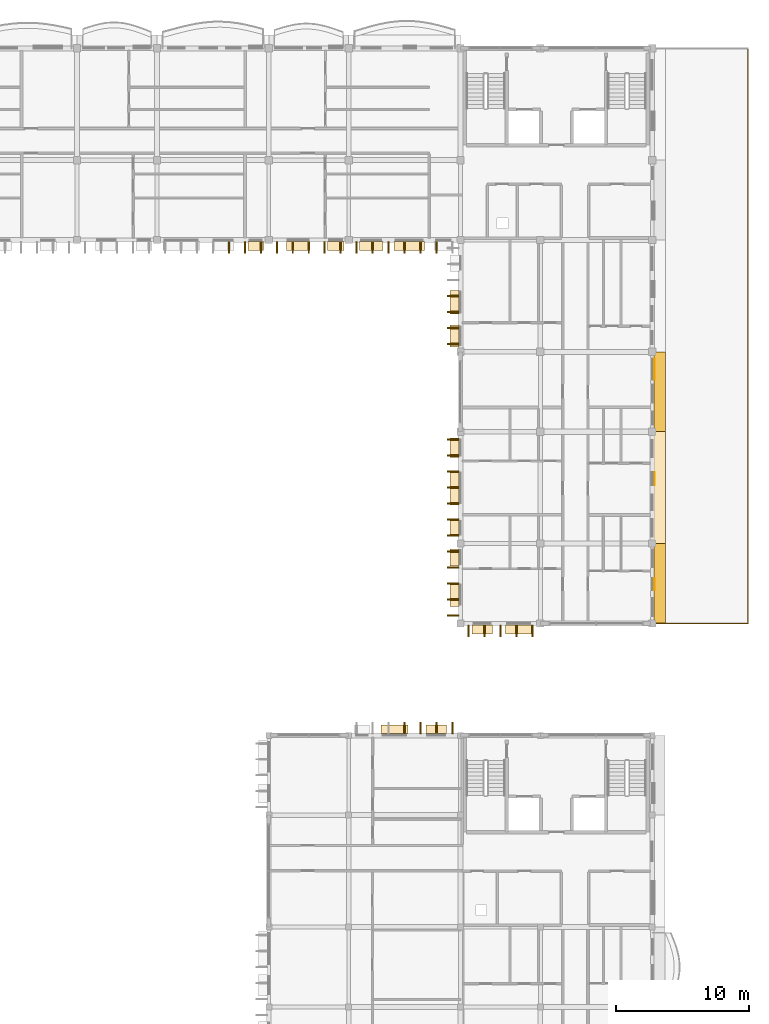
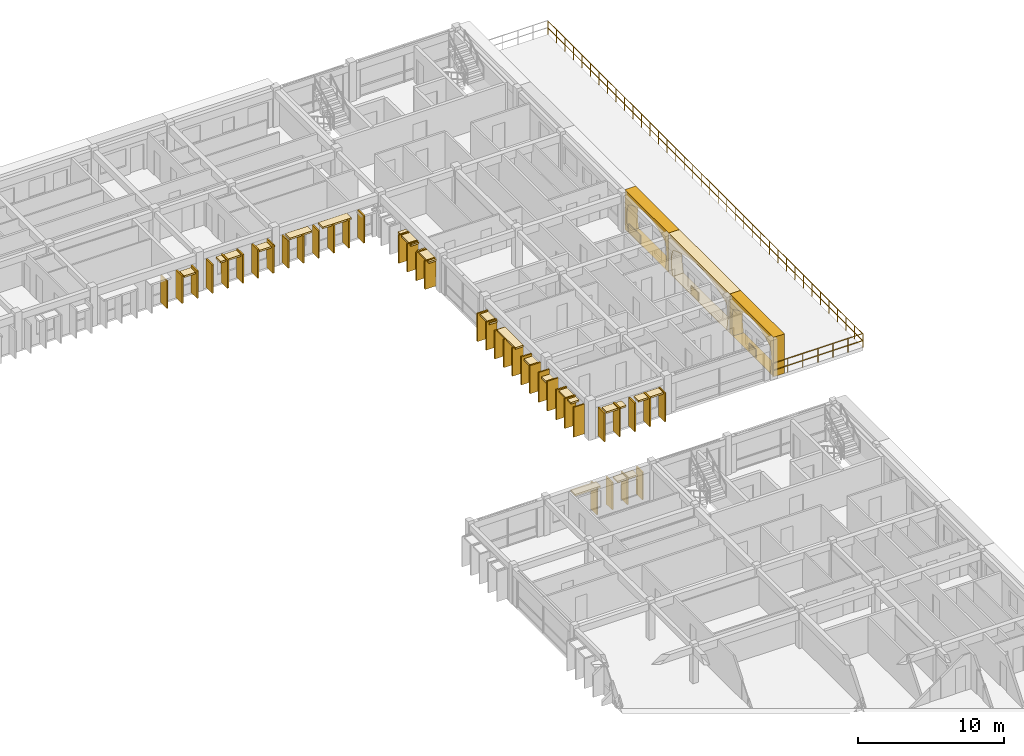
# One storey, part 66 of 68: 61 coverings, 2 railings.
"""IFC4 building model written with IfcOpenShell, lengths in metres."""

from ifc_helpers import new_model, si_unit, direction, frame, origin, origin_2d, place, context, subcontext, project, spatial, polyline, rectangle, outline, extrude, material, layer, layer_set, type_object, element, save


model = new_model("IFC4")

# Units and contexts
model_context = context("Model", 3, precision=1e-05, world=origin(), true_north=direction((0.0, 1.0)))
body_context = subcontext(model_context, "Body", "Model", "MODEL_VIEW")
ifc_project = project(units=[si_unit("LENGTHUNIT", "METRE"), si_unit("AREAUNIT", "SQUARE_METRE"), si_unit("VOLUMEUNIT", "CUBIC_METRE"), si_unit("PLANEANGLEUNIT", "RADIAN"), si_unit("MASSUNIT", "GRAM", prefix="KILO"), si_unit("THERMODYNAMICTEMPERATUREUNIT", "KELVIN")], contexts=[model_context])

# Site, building, storey
site_placement = place(None, origin())
site = spatial("IfcSite", under=ifc_project, at=site_placement, CompositionType="ELEMENT")
building_placement = place(site_placement, origin())
building = spatial("IfcBuilding", under=site, at=building_placement, Name="Thalorik Housing Commons", CompositionType="ELEMENT")
storey_placement = place(building_placement, frame((0.0, 0.0, 24.60009765625)))
storey = spatial("IfcBuildingStorey", under=building, at=storey_placement, Name="L07", CompositionType="ELEMENT", Elevation=24.60009765625)

# Coverings
ifc_material_1 = material(Name="Cobalt blue glazed ceramic facade tile panel", Category="masonry")
ifc_layer_1 = layer(ifc_material_1, 0.06005859375, Name="Cobalt blue glazed ceramic facade tile panel", Category="masonry")
ifc_layer_set_1 = layer_set([ifc_layer_1], Name="Cobalt blue glazed ceramic facade tile panel")
covering_type_1 = type_object("IfcCoveringType", Name="ARC-CLD-BLU-60", PredefinedType="CLADDING", material=ifc_layer_set_1)
covering_1_placement = place(storey_placement, frame((166.965087890625, 83.3515625, 0.0498046875), z_axis=(0.0, 0.0, 1.0), x_axis=(0.0, 1.0, 0.0)))
element("IfcCovering", 1, at=covering_1_placement, inside=storey, type_object=covering_type_1, Name="L07 De Stijl Recessed Window Spandrel 2697", PredefinedType="CLADDING", context=body_context, shape_type="SweptSolid", body=[
    extrude(rectangle(XDim=0.89990234375, YDim=0.06005859375, at=origin_2d()), origin(), (0.0, 0.0, 1.0), 0.699951171875),
])
ifc_material_2 = material(Name="Precast concrete C40/50", Category="concrete")
ifc_layer_2 = layer(ifc_material_2, 0.85009765625, Name="Precast concrete C40/50", Category="concrete")
ifc_layer_set_2 = layer_set([ifc_layer_2], Name="Precast concrete C40/50")
covering_type_2 = type_object("IfcCoveringType", Name="ARC-CLD-CUSH-850", PredefinedType="CLADDING", material=ifc_layer_set_2)
covering_2_placement = place(storey_placement, frame((167.35498046875, 83.39990234375, 0.0), z_axis=(0.0, 0.0, 1.0), x_axis=(0.0, 1.0, 0.0)))
element("IfcCovering", 2, at=covering_2_placement, inside=storey, type_object=covering_type_2, Name="L07 White Precast Curved Cushion Bay Frame 2696", PredefinedType="CLADDING", context=body_context, shape_type="SweptSolid", body=[
    extrude(outline(polyline([(-3.0, 0.0), (3.0, 0.0), (3.0, 3.300048828125), (-3.0, 3.300048828125), (-3.0, 0.0)]), holes=[polyline([(2.57666015625, 0.02490234375), (2.666015625, 0.394287109375), (2.719482421875, 0.76318359375), (2.737548828125, 1.132568359375), (2.719482421875, 1.501708984375), (2.666015625, 1.870849609375), (2.57666015625, 2.239990234375), (2.152587890625, 2.4833984375), (1.728759765625, 2.6748046875), (1.304931640625, 2.82958984375), (0.881103515625, 2.94482421875), (0.457275390625, 3.01611328125), (0.033203125, 3.0400390625), (-0.390625, 3.01611328125), (-0.814453125, 2.94482421875), (-1.23828125, 2.82958984375), (-1.662109375, 2.6748046875), (-2.086181640625, 2.4833984375), (-2.510009765625, 2.239990234375), (-2.61328125, 1.870849609375), (-2.675537109375, 1.501708984375), (-2.6962890625, 1.132568359375), (-2.675537109375, 0.76318359375), (-2.61328125, 0.394287109375), (-2.510009765625, 0.02490234375), (2.57666015625, 0.02490234375)])]), frame((0.0, 0.425048828125, 0.0), z_axis=(0.0, -1.0, 0.0), x_axis=(1.0, 0.0, 0.0)), (0.0, 0.0, 1.0), 0.85009765625),
])
covering_3_placement = place(storey_placement, frame((167.35498046875, 90.60009765625, 0.0), z_axis=(0.0, 0.0, 1.0), x_axis=(0.0, 1.0, 0.0)))
element("IfcCovering", 3, at=covering_3_placement, inside=storey, type_object=covering_type_2, Name="L07 White Precast Curved Cushion Bay Frame 2698", PredefinedType="CLADDING", context=body_context, shape_type="SweptSolid", body=[
    extrude(outline(polyline([(-4.199951171875, 0.0), (4.199951171875, 0.0), (4.199951171875, 3.300048828125), (-4.199951171875, 3.300048828125), (-4.199951171875, 0.0)]), holes=[polyline([(3.619140625, 0.02490234375), (3.74169921875, 0.390869140625), (3.8154296875, 0.756591796875), (3.83984375, 1.12255859375), (3.8154296875, 1.48828125), (3.74169921875, 1.854248046875), (3.619140625, 2.219970703125), (3.0068359375, 2.469482421875), (2.394287109375, 2.66552734375), (1.781982421875, 2.824462890625), (1.16943359375, 2.9423828125), (0.556884765625, 3.015380859375), (-0.055419921875, 3.0400390625), (-0.667724609375, 3.015380859375), (-1.2802734375, 2.9423828125), (-1.892578125, 2.824462890625), (-2.505126953125, 2.66552734375), (-3.11767578125, 2.469482421875), (-3.72998046875, 2.219970703125), (-3.8291015625, 1.854248046875), (-3.888916015625, 1.48828125), (-3.90869140625, 1.12255859375), (-3.888916015625, 0.756591796875), (-3.8291015625, 0.390869140625), (-3.72998046875, 0.02490234375), (3.619140625, 0.02490234375)])]), frame((0.0, 0.425048828125, 0.0), z_axis=(0.0, -1.0, 0.0), x_axis=(1.0, 0.0, 0.0)), (0.0, 0.0, 1.0), 0.85009765625),
])
covering_4_placement = place(storey_placement, frame((167.35498046875, 97.800048828125, 0.0), z_axis=(0.0, 0.0, 1.0), x_axis=(0.0, 1.0, 0.0)))
element("IfcCovering", 4, at=covering_4_placement, inside=storey, type_object=covering_type_2, Name="L07 White Precast Curved Cushion Bay Frame 2700", PredefinedType="CLADDING", context=body_context, shape_type="SweptSolid", body=[
    extrude(outline(polyline([(-3.0, 0.0), (3.0, 0.0), (3.0, 3.300048828125), (-3.0, 3.300048828125), (-3.0, 0.0)]), holes=[polyline([(2.544921875, 0.02490234375), (2.64111328125, 0.404296875), (2.69873046875, 0.783203125), (2.718017578125, 1.16259765625), (2.69873046875, 1.541748046875), (2.64111328125, 1.9208984375), (2.544921875, 2.300048828125), (2.123291015625, 2.525390625), (1.70166015625, 2.7021484375), (1.280029296875, 2.845458984375), (0.8583984375, 2.951904296875), (0.436767578125, 3.017822265625), (0.014892578125, 3.0400390625), (-0.40673828125, 3.017822265625), (-0.828369140625, 2.951904296875), (-1.25, 2.845458984375), (-1.671630859375, 2.7021484375), (-2.09326171875, 2.525390625), (-2.514892578125, 2.300048828125), (-2.617431640625, 1.9208984375), (-2.6787109375, 1.541748046875), (-2.69921875, 1.16259765625), (-2.6787109375, 0.783203125), (-2.617431640625, 0.404296875), (-2.514892578125, 0.02490234375), (2.544921875, 0.02490234375)])]), frame((0.0, 0.425048828125, 0.0), z_axis=(0.0, -1.0, 0.0), x_axis=(1.0, 0.0, 0.0)), (0.0, 0.0, 1.0), 0.85009765625),
])
ifc_layer_3 = layer(ifc_material_2, 0.85009765625, Name="Precast concrete C40/50", Category="concrete")
ifc_layer_set_3 = layer_set([ifc_layer_3], Name="Precast concrete C40/50")
covering_type_3 = type_object("IfcCoveringType", Name="ARC-CLD-FIN-850", PredefinedType="CLADDING", material=ifc_layer_set_3)
for number, where, z_axis, x_axis, name in (
    (5, (135.0, 108.64501953125, 0.0400390625), (0.0, 0.0, 1.0), (1.0, 0.0, 0.0), "L07 Courtyard Precast Vertical Brise-Soleil Fin 2639"),
    (6, (136.199951171875, 108.64501953125, 0.0400390625), (0.0, 0.0, 1.0), (1.0, 0.0, 0.0), "L07 Courtyard Precast Vertical Brise-Soleil Fin 2640"),
    (7, (137.39990234375, 108.64501953125, 0.0400390625), (0.0, 0.0, 1.0), (1.0, 0.0, 0.0), "L07 Courtyard Precast Vertical Brise-Soleil Fin 2641"),
):
    element("IfcCovering", number, at=place(storey_placement, frame(where, z_axis=z_axis, x_axis=x_axis)), inside=storey, type_object=covering_type_3, Name=name, PredefinedType="CLADDING", context=body_context, shape_type="SweptSolid", body=[
        extrude(rectangle(XDim=0.110107421875, YDim=0.85009765625, at=origin_2d()), origin(), (0.0, 0.0, 1.0), 2.294921875),
    ])
for number, where, z_axis, x_axis, name in (
    (8, (138.60009765625, 108.64501953125, 0.039794921875), (0.0, 0.0, 1.0), (1.0, 0.0, 0.0), "L07 Courtyard Precast Vertical Brise-Soleil Fin 2645"),
    (9, (139.800048828125, 108.64501953125, 0.039794921875), (0.0, 0.0, 1.0), (1.0, 0.0, 0.0), "L07 Courtyard Precast Vertical Brise-Soleil Fin 2646"),
    (10, (141.0, 108.64501953125, 0.039794921875), (0.0, 0.0, 1.0), (1.0, 0.0, 0.0), "L07 Courtyard Precast Vertical Brise-Soleil Fin 2647"),
    (11, (142.199951171875, 108.64501953125, 0.039794921875), (0.0, 0.0, 1.0), (1.0, 0.0, 0.0), "L07 Courtyard Precast Vertical Brise-Soleil Fin 2648"),
    (12, (143.39990234375, 108.64501953125, 0.039794921875), (0.0, 0.0, 1.0), (1.0, 0.0, 0.0), "L07 Courtyard Precast Vertical Brise-Soleil Fin 2649"),
):
    element("IfcCovering", number, at=place(storey_placement, frame(where, z_axis=z_axis, x_axis=x_axis)), inside=storey, type_object=covering_type_3, Name=name, PredefinedType="CLADDING", context=body_context, shape_type="SweptSolid", body=[
        extrude(rectangle(XDim=0.110107421875, YDim=0.85009765625, at=origin_2d()), origin(), (0.0, 0.0, 1.0), 2.39501953125),
    ])
for number, where, z_axis, x_axis, name in (
    (13, (144.60009765625, 108.64501953125, 0.0400390625), (0.0, 0.0, 1.0), (1.0, 0.0, 0.0), "L07 Courtyard Precast Vertical Brise-Soleil Fin 2652"),
    (14, (145.800048828125, 108.64501953125, 0.0400390625), (0.0, 0.0, 1.0), (1.0, 0.0, 0.0), "L07 Courtyard Precast Vertical Brise-Soleil Fin 2653"),
    (15, (147.0, 108.64501953125, 0.0400390625), (0.0, 0.0, 1.0), (1.0, 0.0, 0.0), "L07 Courtyard Precast Vertical Brise-Soleil Fin 2654"),
    (16, (148.199951171875, 108.64501953125, 0.0400390625), (0.0, 0.0, 1.0), (1.0, 0.0, 0.0), "L07 Courtyard Precast Vertical Brise-Soleil Fin 2655"),
    (17, (149.39990234375, 108.64501953125, 0.0400390625), (0.0, 0.0, 1.0), (1.0, 0.0, 0.0), "L07 Courtyard Precast Vertical Brise-Soleil Fin 2656"),
    (18, (150.60009765625, 108.64501953125, 0.0400390625), (0.0, 0.0, 1.0), (1.0, 0.0, 0.0), "L07 Courtyard Precast Vertical Brise-Soleil Fin 2657"),
):
    element("IfcCovering", number, at=place(storey_placement, frame(where, z_axis=z_axis, x_axis=x_axis)), inside=storey, type_object=covering_type_3, Name=name, PredefinedType="CLADDING", context=body_context, shape_type="SweptSolid", body=[
        extrude(rectangle(XDim=0.110107421875, YDim=0.85009765625, at=origin_2d()), origin(), (0.0, 0.0, 1.0), 2.294921875),
    ])
for number, where, z_axis, x_axis, name in (
    (19, (151.844970703125, 105.0, 0.0400390625), (0.0, 0.0, 1.0), (0.0, -1.0, 0.0), "L07 Courtyard Precast Vertical Brise-Soleil Fin 2665"),
    (20, (151.844970703125, 103.800048828125, 0.0400390625), (0.0, 0.0, 1.0), (0.0, -1.0, 0.0), "L07 Courtyard Precast Vertical Brise-Soleil Fin 2666"),
    (21, (151.844970703125, 102.60009765625, 0.0400390625), (0.0, 0.0, 1.0), (0.0, -1.0, 0.0), "L07 Courtyard Precast Vertical Brise-Soleil Fin 2667"),
    (22, (151.844970703125, 101.39990234375, 0.0400390625), (0.0, 0.0, 1.0), (0.0, -1.0, 0.0), "L07 Courtyard Precast Vertical Brise-Soleil Fin 2668"),
    (23, (151.844970703125, 94.199951171875, 0.0400390625), (0.0, 0.0, 1.0), (0.0, -1.0, 0.0), "L07 Courtyard Precast Vertical Brise-Soleil Fin 2672"),
    (24, (151.844970703125, 93.0, 0.0400390625), (0.0, 0.0, 1.0), (0.0, -1.0, 0.0), "L07 Courtyard Precast Vertical Brise-Soleil Fin 2673"),
    (25, (151.844970703125, 91.800048828125, 0.0400390625), (0.0, 0.0, 1.0), (0.0, -1.0, 0.0), "L07 Courtyard Precast Vertical Brise-Soleil Fin 2674"),
    (26, (151.844970703125, 90.60009765625, 0.0400390625), (0.0, 0.0, 1.0), (0.0, -1.0, 0.0), "L07 Courtyard Precast Vertical Brise-Soleil Fin 2675"),
    (27, (151.844970703125, 89.39990234375, 0.0400390625), (0.0, 0.0, 1.0), (0.0, -1.0, 0.0), "L07 Courtyard Precast Vertical Brise-Soleil Fin 2676"),
    (28, (151.844970703125, 88.199951171875, 0.0400390625), (0.0, 0.0, 1.0), (0.0, -1.0, 0.0), "L07 Courtyard Precast Vertical Brise-Soleil Fin 2677"),
    (29, (151.844970703125, 87.0, 0.0400390625), (0.0, 0.0, 1.0), (0.0, -1.0, 0.0), "L07 Courtyard Precast Vertical Brise-Soleil Fin 2678"),
):
    element("IfcCovering", number, at=place(storey_placement, frame(where, z_axis=z_axis, x_axis=x_axis)), inside=storey, type_object=covering_type_3, Name=name, PredefinedType="CLADDING", context=body_context, shape_type="SweptSolid", body=[
        extrude(rectangle(XDim=0.110107421875, YDim=0.85009765625, at=origin_2d()), origin(), (0.0, 0.0, 1.0), 2.344970703125),
    ])
for number, where, z_axis, x_axis, name in (
    (30, (151.844970703125, 85.800048828125, 0.039794921875), (0.0, 0.0, 1.0), (0.0, -1.0, 0.0), "L07 Courtyard Precast Vertical Brise-Soleil Fin 2682"),
    (31, (151.844970703125, 84.60009765625, 0.039794921875), (0.0, 0.0, 1.0), (0.0, -1.0, 0.0), "L07 Courtyard Precast Vertical Brise-Soleil Fin 2683"),
    (32, (151.844970703125, 83.39990234375, 0.039794921875), (0.0, 0.0, 1.0), (0.0, -1.0, 0.0), "L07 Courtyard Precast Vertical Brise-Soleil Fin 2684"),
    (33, (151.844970703125, 82.199951171875, 0.039794921875), (0.0, 0.0, 1.0), (0.0, -1.0, 0.0), "L07 Courtyard Precast Vertical Brise-Soleil Fin 2685"),
    (34, (151.844970703125, 81.0, 0.039794921875), (0.0, 0.0, 1.0), (0.0, -1.0, 0.0), "L07 Courtyard Precast Vertical Brise-Soleil Fin 2686"),
):
    element("IfcCovering", number, at=place(storey_placement, frame(where, z_axis=z_axis, x_axis=x_axis)), inside=storey, type_object=covering_type_3, Name=name, PredefinedType="CLADDING", context=body_context, shape_type="SweptSolid", body=[
        extrude(rectangle(XDim=0.110107421875, YDim=0.85009765625, at=origin_2d()), origin(), (0.0, 0.0, 1.0), 2.4951171875),
    ])
for number, where, z_axis, x_axis, name in (
    (35, (153.0, 79.844970703125, 0.039794921875), (0.0, 0.0, 1.0), (1.0, 0.0, 0.0), "L07 Courtyard Precast Vertical Brise-Soleil Fin 2689"),
    (36, (154.199951171875, 79.844970703125, 0.039794921875), (0.0, 0.0, 1.0), (1.0, 0.0, 0.0), "L07 Courtyard Precast Vertical Brise-Soleil Fin 2690"),
    (37, (155.39990234375, 79.844970703125, 0.039794921875), (0.0, 0.0, 1.0), (1.0, 0.0, 0.0), "L07 Courtyard Precast Vertical Brise-Soleil Fin 2691"),
    (38, (156.60009765625, 79.844970703125, 0.039794921875), (0.0, 0.0, 1.0), (1.0, 0.0, 0.0), "L07 Courtyard Precast Vertical Brise-Soleil Fin 2692"),
    (39, (157.800048828125, 79.844970703125, 0.039794921875), (0.0, 0.0, 1.0), (1.0, 0.0, 0.0), "L07 Courtyard Precast Vertical Brise-Soleil Fin 2693"),
):
    element("IfcCovering", number, at=place(storey_placement, frame(where, z_axis=z_axis, x_axis=x_axis)), inside=storey, type_object=covering_type_3, Name=name, PredefinedType="CLADDING", context=body_context, shape_type="SweptSolid", body=[
        extrude(rectangle(XDim=0.110107421875, YDim=0.85009765625, at=origin_2d()), origin(), (0.0, 0.0, 1.0), 2.39501953125),
    ])
for number, where, z_axis, x_axis, name in (
    (40, (151.800048828125, 72.54248046875, 0.0400390625), (0.0, 0.0, 1.0), (-1.0, 0.0, 0.0), "L07 Courtyard Precast Vertical Brise-Soleil Fin 4986"),
    (41, (150.60009765625, 72.54248046875, 0.0400390625), (0.0, 0.0, 1.0), (-1.0, 0.0, 0.0), "L07 Courtyard Precast Vertical Brise-Soleil Fin 4987"),
    (42, (149.39990234375, 72.54248046875, 0.0400390625), (0.0, 0.0, 1.0), (-1.0, 0.0, 0.0), "L07 Courtyard Precast Vertical Brise-Soleil Fin 4988"),
    (43, (148.199951171875, 72.54248046875, 0.0400390625), (0.0, 0.0, 1.0), (-1.0, 0.0, 0.0), "L07 Courtyard Precast Vertical Brise-Soleil Fin 4989"),
):
    element("IfcCovering", number, at=place(storey_placement, frame(where, z_axis=z_axis, x_axis=x_axis)), inside=storey, type_object=covering_type_3, Name=name, PredefinedType="CLADDING", context=body_context, shape_type="SweptSolid", body=[
        extrude(rectangle(XDim=0.110107421875, YDim=0.85009765625, at=origin_2d()), origin(), (0.0, 0.0, 1.0), 2.294921875),
    ])
ifc_layer_4 = layer(ifc_material_2, 0.64990234375, Name="Precast concrete C40/50", Category="concrete")
ifc_layer_set_4 = layer_set([ifc_layer_4], Name="Precast concrete C40/50")
covering_type_4 = type_object("IfcCoveringType", Name="ARC-CLD-HOOD-650", PredefinedType="CLADDING", material=ifc_layer_set_4)
covering_5_placement = place(storey_placement, frame((137.014892578125, 108.7451171875, 1.98974609375), z_axis=(0.0, 0.0, 1.0), x_axis=(1.0, 0.0, 0.0)))
element("IfcCovering", 44, at=covering_5_placement, inside=storey, type_object=covering_type_4, Name="L07 Courtyard Precast Window Sun-Hood 2644", PredefinedType="CLADDING", context=body_context, shape_type="SweptSolid", body=[
    extrude(rectangle(XDim=1.139892578125, YDim=0.64990234375, at=origin_2d()), origin(), (0.0, 0.0, 1.0), 0.139892578125),
])
covering_6_placement = place(storey_placement, frame((140.21240234375, 108.7451171875, 2.18994140625), z_axis=(0.0, 0.0, 1.0), x_axis=(1.0, 0.0, 0.0)))
element("IfcCovering", 45, at=covering_6_placement, inside=storey, type_object=covering_type_4, Name="L07 Courtyard Precast Window Sun-Hood 2650", PredefinedType="CLADDING", context=body_context, shape_type="SweptSolid", body=[
    extrude(rectangle(XDim=1.7900390625, YDim=0.64990234375, at=origin_2d()), origin(), (0.0, 0.0, 1.0), 0.139892578125),
])
covering_7_placement = place(storey_placement, frame((143.0224609375, 108.7451171875, 2.0400390625), z_axis=(0.0, 0.0, 1.0), x_axis=(1.0, 0.0, 0.0)))
element("IfcCovering", 46, at=covering_7_placement, inside=storey, type_object=covering_type_4, Name="L07 Courtyard Precast Window Sun-Hood 2651", PredefinedType="CLADDING", context=body_context, shape_type="SweptSolid", body=[
    extrude(rectangle(XDim=1.239990234375, YDim=0.64990234375, at=origin_2d()), origin(), (0.0, 0.0, 1.0), 0.139892578125),
])
covering_8_placement = place(storey_placement, frame((145.68994140625, 108.7451171875, 2.2099609375), z_axis=(0.0, 0.0, 1.0), x_axis=(1.0, 0.0, 0.0)))
element("IfcCovering", 47, at=covering_8_placement, inside=storey, type_object=covering_type_4, Name="L07 Courtyard Precast Window Sun-Hood 2659", PredefinedType="CLADDING", context=body_context, shape_type="SweptSolid", body=[
    extrude(rectangle(XDim=1.760009765625, YDim=0.64990234375, at=origin_2d()), origin(), (0.0, 0.0, 1.0), 0.139892578125),
])
covering_9_placement = place(storey_placement, frame((148.550048828125, 108.7451171875, 2.22509765625), z_axis=(0.0, 0.0, 1.0), x_axis=(1.0, 0.0, 0.0)))
element("IfcCovering", 48, at=covering_9_placement, inside=storey, type_object=covering_type_4, Name="L07 Courtyard Precast Window Sun-Hood 2660", PredefinedType="CLADDING", context=body_context, shape_type="SweptSolid", body=[
    extrude(rectangle(XDim=2.280029296875, YDim=0.64990234375, at=origin_2d()), origin(), (0.0, 0.0, 1.0), 0.139892578125),
])
covering_10_placement = place(storey_placement, frame((151.945068359375, 104.526123046875, 2.18994140625), z_axis=(0.0, 0.0, 1.0), x_axis=(0.0, -1.0, 0.0)))
element("IfcCovering", 49, at=covering_10_placement, inside=storey, type_object=covering_type_4, Name="L07 Courtyard Precast Window Sun-Hood 2670", PredefinedType="CLADDING", context=body_context, shape_type="SweptSolid", body=[
    extrude(rectangle(XDim=1.7900390625, YDim=0.64990234375, at=origin_2d()), origin(), (0.0, 0.0, 1.0), 0.139892578125),
])
covering_11_placement = place(storey_placement, frame((151.945068359375, 101.987548828125, 2.23974609375), z_axis=(0.0, 0.0, 1.0), x_axis=(0.0, -1.0, 0.0)))
element("IfcCovering", 50, at=covering_11_placement, inside=storey, type_object=covering_type_4, Name="L07 Courtyard Precast Window Sun-Hood 2671", PredefinedType="CLADDING", context=body_context, shape_type="SweptSolid", body=[
    extrude(rectangle(XDim=1.639892578125, YDim=0.64990234375, at=origin_2d()), origin(), (0.0, 0.0, 1.0), 0.139892578125),
])
covering_12_placement = place(storey_placement, frame((151.945068359375, 93.60009765625, 2.14013671875), z_axis=(0.0, 0.0, 1.0), x_axis=(0.0, -1.0, 0.0)))
element("IfcCovering", 51, at=covering_12_placement, inside=storey, type_object=covering_type_4, Name="L07 Courtyard Precast Window Sun-Hood 2679", PredefinedType="CLADDING", context=body_context, shape_type="SweptSolid", body=[
    extrude(rectangle(XDim=1.43994140625, YDim=0.64990234375, at=origin_2d()), origin(), (0.0, 0.0, 1.0), 0.139892578125),
])
covering_13_placement = place(storey_placement, frame((151.945068359375, 90.570068359375, 2.25), z_axis=(0.0, 0.0, 1.0), x_axis=(0.0, -1.0, 0.0)))
element("IfcCovering", 52, at=covering_13_placement, inside=storey, type_object=covering_type_4, Name="L07 Courtyard Precast Window Sun-Hood 2680", PredefinedType="CLADDING", context=body_context, shape_type="SweptSolid", body=[
    extrude(rectangle(XDim=2.52001953125, YDim=0.64990234375, at=origin_2d()), origin(), (0.0, 0.0, 1.0), 0.139892578125),
])
covering_14_placement = place(storey_placement, frame((151.945068359375, 87.570068359375, 2.0400390625), z_axis=(0.0, 0.0, 1.0), x_axis=(0.0, -1.0, 0.0)))
element("IfcCovering", 53, at=covering_14_placement, inside=storey, type_object=covering_type_4, Name="L07 Courtyard Precast Window Sun-Hood 2681", PredefinedType="CLADDING", context=body_context, shape_type="SweptSolid", body=[
    extrude(rectangle(XDim=1.239990234375, YDim=0.64990234375, at=origin_2d()), origin(), (0.0, 0.0, 1.0), 0.139892578125),
])
covering_15_placement = place(storey_placement, frame((151.945068359375, 85.357421875, 1.98974609375), z_axis=(0.0, 0.0, 1.0), x_axis=(0.0, -1.0, 0.0)))
element("IfcCovering", 54, at=covering_15_placement, inside=storey, type_object=covering_type_4, Name="L07 Courtyard Precast Window Sun-Hood 2687", PredefinedType="CLADDING", context=body_context, shape_type="SweptSolid", body=[
    extrude(rectangle(XDim=1.2900390625, YDim=0.64990234375, at=origin_2d()), origin(), (0.0, 0.0, 1.0), 0.139892578125),
])
covering_16_placement = place(storey_placement, frame((151.945068359375, 82.547607421875, 2.2900390625), z_axis=(0.0, 0.0, 1.0), x_axis=(0.0, -1.0, 0.0)))
element("IfcCovering", 55, at=covering_16_placement, inside=storey, type_object=covering_type_4, Name="L07 Courtyard Precast Window Sun-Hood 2688", PredefinedType="CLADDING", context=body_context, shape_type="SweptSolid", body=[
    extrude(rectangle(XDim=1.739990234375, YDim=0.64990234375, at=origin_2d()), origin(), (0.0, 0.0, 1.0), 0.139892578125),
])
covering_17_placement = place(storey_placement, frame((154.030029296875, 79.945068359375, 2.18994140625), z_axis=(0.0, 0.0, 1.0), x_axis=(1.0, 0.0, 0.0)))
element("IfcCovering", 56, at=covering_17_placement, inside=storey, type_object=covering_type_4, Name="L07 Courtyard Precast Window Sun-Hood 2694", PredefinedType="CLADDING", context=body_context, shape_type="SweptSolid", body=[
    extrude(rectangle(XDim=1.5400390625, YDim=0.64990234375, at=origin_2d()), origin(), (0.0, 0.0, 1.0), 0.139892578125),
])
covering_18_placement = place(storey_placement, frame((156.77001953125, 79.945068359375, 2.23974609375), z_axis=(0.0, 0.0, 1.0), x_axis=(1.0, 0.0, 0.0)))
element("IfcCovering", 57, at=covering_18_placement, inside=storey, type_object=covering_type_4, Name="L07 Courtyard Precast Window Sun-Hood 2695", PredefinedType="CLADDING", context=body_context, shape_type="SweptSolid", body=[
    extrude(rectangle(XDim=1.989990234375, YDim=0.64990234375, at=origin_2d()), origin(), (0.0, 0.0, 1.0), 0.139892578125),
])
covering_19_placement = place(storey_placement, frame((150.5751953125, 72.4423828125, 2.14013671875), z_axis=(0.0, 0.0, 1.0), x_axis=(-1.0, 0.0, 0.0)))
element("IfcCovering", 58, at=covering_19_placement, inside=storey, type_object=covering_type_4, Name="L07 Courtyard Precast Window Sun-Hood 4993", PredefinedType="CLADDING", context=body_context, shape_type="SweptSolid", body=[
    extrude(rectangle(XDim=1.56005859375, YDim=0.64990234375, at=origin_2d()), origin(), (0.0, 0.0, 1.0), 0.139892578125),
])
covering_20_placement = place(storey_placement, frame((147.4453125, 72.4423828125, 2.2099609375), z_axis=(0.0, 0.0, 1.0), x_axis=(-1.0, 0.0, 0.0)))
element("IfcCovering", 59, at=covering_20_placement, inside=storey, type_object=covering_type_4, Name="L07 Courtyard Precast Window Sun-Hood 4994", PredefinedType="CLADDING", context=body_context, shape_type="SweptSolid", body=[
    extrude(rectangle(XDim=2.02001953125, YDim=0.64990234375, at=origin_2d()), origin(), (0.0, 0.0, 1.0), 0.139892578125),
])
ifc_material_3 = material(Name="Terracotta red mineral fibre-cement panel", Category="masonry")
ifc_layer_5 = layer(ifc_material_3, 0.054931640625, Name="Terracotta red mineral fibre-cement panel", Category="masonry")
ifc_layer_set_5 = layer_set([ifc_layer_5], Name="Terracotta red mineral fibre-cement panel")
covering_type_5 = type_object("IfcCoveringType", Name="ARC-CLD-RED-55", PredefinedType="CLADDING", material=ifc_layer_set_5)
covering_21_placement = place(storey_placement, frame((166.96240234375, 99.5048828125, 0.0498046875), z_axis=(0.0, 0.0, 1.0), x_axis=(0.0, 1.0, 0.0)))
element("IfcCovering", 60, at=covering_21_placement, inside=storey, type_object=covering_type_5, Name="L07 De Stijl Recessed Window Spandrel 2701", PredefinedType="CLADDING", context=body_context, shape_type="SweptSolid", body=[
    extrude(rectangle(XDim=1.580078125, YDim=0.054931640625, at=origin_2d()), origin(), (0.0, 0.0, 1.0), 0.699951171875),
])
ifc_material_4 = material(Name="Mineral ochre architectural terracotta panel", Category="masonry")
ifc_layer_6 = layer(ifc_material_4, 0.06494140625, Name="Mineral ochre architectural terracotta panel", Category="masonry")
ifc_layer_set_6 = layer_set([ifc_layer_6], Name="Mineral ochre architectural terracotta panel")
covering_type_6 = type_object("IfcCoveringType", Name="ARC-CLD-YEL-65", PredefinedType="CLADDING", material=ifc_layer_set_6)
covering_22_placement = place(storey_placement, frame((166.967529296875, 91.274169921875, 0.0498046875), z_axis=(0.0, 0.0, 1.0), x_axis=(0.0, 1.0, 0.0)))
element("IfcCovering", 61, at=covering_22_placement, inside=storey, type_object=covering_type_6, Name="L07 De Stijl Recessed Window Spandrel 2699", PredefinedType="CLADDING", context=body_context, shape_type="SweptSolid", body=[
    extrude(rectangle(XDim=1.0, YDim=0.06494140625, at=origin_2d()), origin(), (0.0, 0.0, 1.0), 0.699951171875),
])

# Railings
ifc_material_5 = material(Name="Steel S355", Category="steel")
railing_type_1 = type_object("IfcRailingType", Name="ARC-RL-TER-112", PredefinedType="GUARDRAIL", material=ifc_material_5)
railing_1_placement = place(storey_placement, frame((174.0, 80.39990234375, 0.0)))
element("IfcRailing", 62, at=railing_1_placement, inside=storey, type_object=railing_type_1, Name="L07 L07 East Sky-Garden Terrace Edge Guardrail", PredefinedType="GUARDRAIL", context=body_context, shape_type="SweptSolid", body=[
    extrude(rectangle(XDim=0.048095703125, YDim=0.048095703125, at=origin_2d()), frame((0.0, 0.0, 1.09619140625), z_axis=(0.0, 1.0, 0.0), x_axis=(-1.0, 0.0, 0.0)), (0.0, 0.0, 1.0), 43.2001953125),
    extrude(rectangle(XDim=0.048095703125, YDim=0.048095703125, at=origin_2d()), frame((0.0, 0.0, 0.5361328125), z_axis=(0.0, 1.0, 0.0), x_axis=(-1.0, 0.0, 0.0)), (0.0, 0.0, 1.0), 43.2001953125),
    extrude(rectangle(XDim=0.0419921875, YDim=0.0419921875, at=origin_2d()), origin(), (0.0, 0.0, 1.0), 1.072021484375),
    extrude(rectangle(XDim=0.0419921875, YDim=0.0419921875, at=origin_2d()), frame((0.0, 1.16748046875, 0.0)), (0.0, 0.0, 1.0), 1.072021484375),
    extrude(rectangle(XDim=0.0419921875, YDim=0.0419921875, at=origin_2d()), frame((0.0, 2.335205078125, 0.0)), (0.0, 0.0, 1.0), 1.072021484375),
    extrude(rectangle(XDim=0.0419921875, YDim=0.0419921875, at=origin_2d()), frame((0.0, 3.502685546875, 0.0)), (0.0, 0.0, 1.0), 1.072021484375),
    extrude(rectangle(XDim=0.0419921875, YDim=0.0419921875, at=origin_2d()), frame((0.0, 4.67041015625, 0.0)), (0.0, 0.0, 1.0), 1.072021484375),
    extrude(rectangle(XDim=0.0419921875, YDim=0.0419921875, at=origin_2d()), frame((0.0, 5.837890625, 0.0)), (0.0, 0.0, 1.0), 1.072021484375),
    extrude(rectangle(XDim=0.0419921875, YDim=0.0419921875, at=origin_2d()), frame((0.0, 7.00537109375, 0.0)), (0.0, 0.0, 1.0), 1.072021484375),
    extrude(rectangle(XDim=0.0419921875, YDim=0.0419921875, at=origin_2d()), frame((0.0, 8.173095703125, 0.0)), (0.0, 0.0, 1.0), 1.072021484375),
    extrude(rectangle(XDim=0.0419921875, YDim=0.0419921875, at=origin_2d()), frame((0.0, 9.340576171875, 0.0)), (0.0, 0.0, 1.0), 1.072021484375),
    extrude(rectangle(XDim=0.0419921875, YDim=0.0419921875, at=origin_2d()), frame((0.0, 10.508056640625, 0.0)), (0.0, 0.0, 1.0), 1.072021484375),
    extrude(rectangle(XDim=0.0419921875, YDim=0.0419921875, at=origin_2d()), frame((0.0, 11.67578125, 0.0)), (0.0, 0.0, 1.0), 1.072021484375),
    extrude(rectangle(XDim=0.0419921875, YDim=0.0419921875, at=origin_2d()), frame((0.0, 12.84326171875, 0.0)), (0.0, 0.0, 1.0), 1.072021484375),
    extrude(rectangle(XDim=0.0419921875, YDim=0.0419921875, at=origin_2d()), frame((0.0, 14.010986328125, 0.0)), (0.0, 0.0, 1.0), 1.072021484375),
    extrude(rectangle(XDim=0.0419921875, YDim=0.0419921875, at=origin_2d()), frame((0.0, 15.178466796875, 0.0)), (0.0, 0.0, 1.0), 1.072021484375),
    extrude(rectangle(XDim=0.0419921875, YDim=0.0419921875, at=origin_2d()), frame((0.0, 16.345947265625, 0.0)), (0.0, 0.0, 1.0), 1.072021484375),
    extrude(rectangle(XDim=0.0419921875, YDim=0.0419921875, at=origin_2d()), frame((0.0, 17.513671875, 0.0)), (0.0, 0.0, 1.0), 1.072021484375),
    extrude(rectangle(XDim=0.0419921875, YDim=0.0419921875, at=origin_2d()), frame((0.0, 18.68115234375, 0.0)), (0.0, 0.0, 1.0), 1.072021484375),
    extrude(rectangle(XDim=0.0419921875, YDim=0.0419921875, at=origin_2d()), frame((0.0, 19.8486328125, 0.0)), (0.0, 0.0, 1.0), 1.072021484375),
    extrude(rectangle(XDim=0.0419921875, YDim=0.0419921875, at=origin_2d()), frame((0.0, 21.016357421875, 0.0)), (0.0, 0.0, 1.0), 1.072021484375),
    extrude(rectangle(XDim=0.0419921875, YDim=0.0419921875, at=origin_2d()), frame((0.0, 22.183837890625, 0.0)), (0.0, 0.0, 1.0), 1.072021484375),
    extrude(rectangle(XDim=0.0419921875, YDim=0.0419921875, at=origin_2d()), frame((0.0, 23.3515625, 0.0)), (0.0, 0.0, 1.0), 1.072021484375),
    extrude(rectangle(XDim=0.0419921875, YDim=0.0419921875, at=origin_2d()), frame((0.0, 24.51904296875, 0.0)), (0.0, 0.0, 1.0), 1.072021484375),
    extrude(rectangle(XDim=0.0419921875, YDim=0.0419921875, at=origin_2d()), frame((0.0, 25.6865234375, 0.0)), (0.0, 0.0, 1.0), 1.072021484375),
    extrude(rectangle(XDim=0.0419921875, YDim=0.0419921875, at=origin_2d()), frame((0.0, 26.854248046875, 0.0)), (0.0, 0.0, 1.0), 1.072021484375),
    extrude(rectangle(XDim=0.0419921875, YDim=0.0419921875, at=origin_2d()), frame((0.0, 28.021728515625, 0.0)), (0.0, 0.0, 1.0), 1.072021484375),
    extrude(rectangle(XDim=0.0419921875, YDim=0.0419921875, at=origin_2d()), frame((0.0, 29.189208984375, 0.0)), (0.0, 0.0, 1.0), 1.072021484375),
    extrude(rectangle(XDim=0.0419921875, YDim=0.0419921875, at=origin_2d()), frame((0.0, 30.35693359375, 0.0)), (0.0, 0.0, 1.0), 1.072021484375),
    extrude(rectangle(XDim=0.0419921875, YDim=0.0419921875, at=origin_2d()), frame((0.0, 31.5244140625, 0.0)), (0.0, 0.0, 1.0), 1.072021484375),
    extrude(rectangle(XDim=0.0419921875, YDim=0.0419921875, at=origin_2d()), frame((0.0, 32.692138671875, 0.0)), (0.0, 0.0, 1.0), 1.072021484375),
    extrude(rectangle(XDim=0.0419921875, YDim=0.0419921875, at=origin_2d()), frame((0.0, 33.859619140625, 0.0)), (0.0, 0.0, 1.0), 1.072021484375),
    extrude(rectangle(XDim=0.0419921875, YDim=0.0419921875, at=origin_2d()), frame((0.0, 35.027099609375, 0.0)), (0.0, 0.0, 1.0), 1.072021484375),
    extrude(rectangle(XDim=0.0419921875, YDim=0.0419921875, at=origin_2d()), frame((0.0, 36.19482421875, 0.0)), (0.0, 0.0, 1.0), 1.072021484375),
    extrude(rectangle(XDim=0.0419921875, YDim=0.0419921875, at=origin_2d()), frame((0.0, 37.3623046875, 0.0)), (0.0, 0.0, 1.0), 1.072021484375),
    extrude(rectangle(XDim=0.0419921875, YDim=0.0419921875, at=origin_2d()), frame((0.0, 38.52978515625, 0.0)), (0.0, 0.0, 1.0), 1.072021484375),
    extrude(rectangle(XDim=0.0419921875, YDim=0.0419921875, at=origin_2d()), frame((0.0, 39.697509765625, 0.0)), (0.0, 0.0, 1.0), 1.072021484375),
    extrude(rectangle(XDim=0.0419921875, YDim=0.0419921875, at=origin_2d()), frame((0.0, 40.864990234375, 0.0)), (0.0, 0.0, 1.0), 1.072021484375),
    extrude(rectangle(XDim=0.0419921875, YDim=0.0419921875, at=origin_2d()), frame((0.0, 42.03271484375, 0.0)), (0.0, 0.0, 1.0), 1.072021484375),
    extrude(rectangle(XDim=0.0419921875, YDim=0.0419921875, at=origin_2d()), frame((0.0, 43.2001953125, 0.0)), (0.0, 0.0, 1.0), 1.072021484375),
])
railing_type_2 = type_object("IfcRailingType", Name="ARC-RL-TER-118", PredefinedType="GUARDRAIL", material=ifc_material_5)
railing_2_placement = place(storey_placement, frame((166.85009765625, 80.39990234375, 0.0)))
element("IfcRailing", 63, at=railing_2_placement, inside=storey, type_object=railing_type_2, Name="L07 L07 East Sky-Garden Terrace Edge Guardrail", PredefinedType="GUARDRAIL", context=body_context, shape_type="SweptSolid", body=[
    extrude(rectangle(XDim=0.048095703125, YDim=0.048095703125, at=origin_2d()), frame((0.0, 0.0, 1.15576171875), z_axis=(1.0, 0.0, 0.0), x_axis=(0.0, 1.0, 0.0)), (0.0, 0.0, 1.0), 7.14990234375),
    extrude(rectangle(XDim=0.048095703125, YDim=0.048095703125, at=origin_2d()), frame((0.0, 0.0, 0.56591796875), z_axis=(1.0, 0.0, 0.0), x_axis=(0.0, 1.0, 0.0)), (0.0, 0.0, 1.0), 7.14990234375),
    extrude(rectangle(XDim=0.0419921875, YDim=0.0419921875, at=origin_2d()), origin(), (0.0, 0.0, 1.0), 1.1318359375),
    extrude(rectangle(XDim=0.0419921875, YDim=0.0419921875, at=origin_2d()), frame((1.191650390625, 0.0, 0.0)), (0.0, 0.0, 1.0), 1.1318359375),
    extrude(rectangle(XDim=0.0419921875, YDim=0.0419921875, at=origin_2d()), frame((2.38330078125, 0.0, 0.0)), (0.0, 0.0, 1.0), 1.1318359375),
    extrude(rectangle(XDim=0.0419921875, YDim=0.0419921875, at=origin_2d()), frame((3.574951171875, 0.0, 0.0)), (0.0, 0.0, 1.0), 1.1318359375),
    extrude(rectangle(XDim=0.0419921875, YDim=0.0419921875, at=origin_2d()), frame((4.7666015625, 0.0, 0.0)), (0.0, 0.0, 1.0), 1.1318359375),
    extrude(rectangle(XDim=0.0419921875, YDim=0.0419921875, at=origin_2d()), frame((5.958251953125, 0.0, 0.0)), (0.0, 0.0, 1.0), 1.1318359375),
    extrude(rectangle(XDim=0.0419921875, YDim=0.0419921875, at=origin_2d()), frame((7.14990234375, 0.0, 0.0)), (0.0, 0.0, 1.0), 1.1318359375),
])

save(model, "model.ifc")
